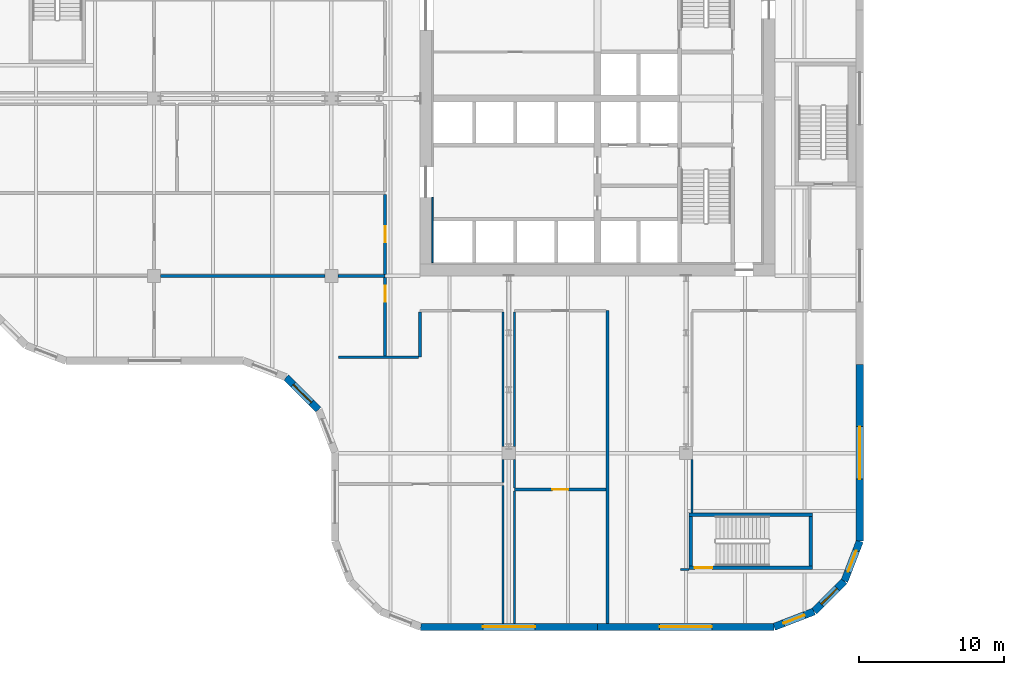
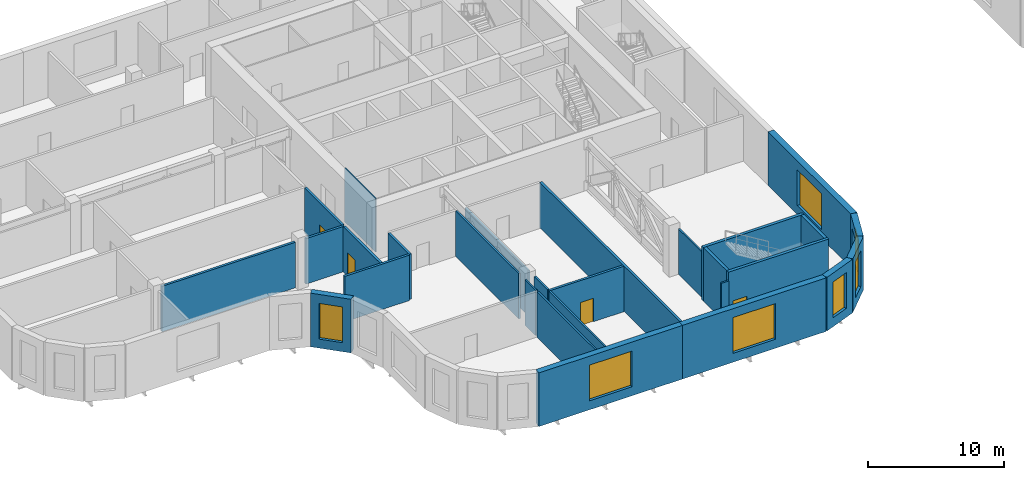
# One storey, part 9 of 21: 28 walls, 7 windows, 4 doors, 11 openings.
"""IFC4 building model written with IfcOpenShell, lengths in metres."""

from ifc_helpers import new_model, si_unit, direction, frame, frame_2d, origin, place, context, subcontext, project, spatial, polyline, rectangle, outline, extrude, faceted_brep, source, transform, mapped, material, layer, layer_set, type_object, element, fill, save


model = new_model("IFC4")

# Units and contexts
model_context = context("Model", 3, precision=1e-05, world=origin(), true_north=direction((0.0, 1.0)))
body_context = subcontext(model_context, "Body", "Model", "MODEL_VIEW")
ifc_project = project(units=[si_unit("LENGTHUNIT", "METRE"), si_unit("AREAUNIT", "SQUARE_METRE"), si_unit("VOLUMEUNIT", "CUBIC_METRE"), si_unit("PLANEANGLEUNIT", "RADIAN"), si_unit("MASSUNIT", "GRAM", prefix="KILO")], contexts=[model_context])

# Site, building, storey
site_placement = place(None, origin())
site = spatial("IfcSite", under=ifc_project, at=site_placement, CompositionType="ELEMENT")
building_placement = place(site_placement, origin())
building = spatial("IfcBuilding", under=site, at=building_placement, Name="Tessera Gate Towers", CompositionType="ELEMENT")
storey_placement = place(building_placement, frame((0.0, 0.0, 63.800048828125)))
storey = spatial("IfcBuildingStorey", under=building, at=storey_placement, Name="L15", CompositionType="ELEMENT", Elevation=63.800048828125)

# Walls
ifc_material_1 = material(Name="Gypsum board on steel studs, mineral wool", Category="steel")
ifc_layer_1 = layer(ifc_material_1, 0.14990234375)
ifc_layer_set_1 = layer_set([ifc_layer_1], Name="CHASE WALL 150")
wall_type_1 = type_object("IfcWallType", Name="CHASE WALL 150", PredefinedType="PARTITIONING", material=ifc_layer_set_1)
wall_1_placement = place(storey_placement, frame((36.199951171875, 0.5, 0.0), z_axis=(0.0, 0.0, 1.0), x_axis=(0.0, 1.0, 0.0)))
element("IfcWall", 1, at=wall_1_placement, inside=storey, type_object=wall_type_1, Name="T1-L15-PW-001", PredefinedType="PARTITIONING", context=body_context, shape_type="SweptSolid", body=[
    extrude(rectangle(XDim=9.47412109375, YDim=0.14990234375, at=frame_2d((4.737060546875, 0.0))), origin(), (0.0, 0.0, 1.0), 4.06689453125),
])
wall_2_placement = place(storey_placement, frame((37.0, 0.5, 0.0), z_axis=(0.0, 0.0, 1.0), x_axis=(0.0, 1.0, 0.0)))
element("IfcWall", 2, at=wall_2_placement, inside=storey, type_object=wall_type_1, Name="T1-L15-PW-002", PredefinedType="PARTITIONING", context=body_context, shape_type="SweptSolid", body=[
    extrude(rectangle(XDim=9.09912109375, YDim=0.14990234375, at=frame_2d((4.549560546875, 0.0))), origin(), (0.0, 0.0, 1.0), 4.06689453125),
])
wall_3_placement = place(storey_placement, frame((48.39990234375, 4.199951171875, 0.0), z_axis=(0.0, 0.0, 1.0), x_axis=(1.0, 0.0, 0.0)))
element("IfcWall", 3, at=wall_3_placement, inside=storey, type_object=wall_type_1, Name="T1-L15-PW-004", PredefinedType="PARTITIONING", context=body_context, shape_type="SweptSolid", body=[
    extrude(rectangle(XDim=0.60009765625, YDim=0.14990234375, at=frame_2d((0.300048828125, 0.0))), origin(), (0.0, 0.0, 1.0), 4.06689453125),
])
wall_4_placement = place(storey_placement, frame((49.199951171875, 8.10009765625, 0.0), z_axis=(0.0, 0.0, 1.0), x_axis=(0.0, 1.0, 0.0)))
element("IfcWall", 4, at=wall_4_placement, inside=storey, type_object=wall_type_1, Name="T1-L15-PW-005", PredefinedType="PARTITIONING", context=body_context, shape_type="SweptSolid", body=[
    extrude(rectangle(XDim=3.64892578125, YDim=0.14990234375, at=frame_2d((1.824462890625, 0.0))), origin(), (0.0, 0.0, 1.0), 4.06689453125),
])
wall_5_placement = place(storey_placement, frame((37.0, 9.801025390625, 0.0), z_axis=(0.0, 0.0, 1.0), x_axis=(0.0, 1.0, 0.0)))
element("IfcWall", 5, at=wall_5_placement, inside=storey, type_object=wall_type_1, Name="T1-L15-PW-007", PredefinedType="PARTITIONING", context=body_context, shape_type="SweptSolid", body=[
    extrude(rectangle(XDim=1.947998046875, YDim=0.14990234375, at=frame_2d((0.97412109375, 0.0))), origin(), (0.0, 0.0, 1.0), 4.06689453125),
])
wall_6_placement = place(storey_placement, frame((36.199951171875, 10.176025390625, 0.0), z_axis=(0.0, 0.0, 1.0), x_axis=(0.0, 1.0, 0.0)))
element("IfcWall", 6, at=wall_6_placement, inside=storey, type_object=wall_type_1, Name="T1-L15-PW-009", PredefinedType="PARTITIONING", context=body_context, shape_type="SweptSolid", body=[
    extrude(rectangle(XDim=1.572998046875, YDim=0.14990234375, at=frame_2d((0.78662109375, 0.0))), origin(), (0.0, 0.0, 1.0), 4.06689453125),
])
for number, where, z_axis, x_axis, name in (
    (7, (36.199951171875, 12.65087890625, 0.0), (0.0, 0.0, 1.0), (0.0, 1.0, 0.0), "T1-L15-PW-010"),
    (8, (37.0, 12.65087890625, 0.0), (0.0, 0.0, 1.0), (0.0, 1.0, 0.0), "T1-L15-PW-011"),
):
    element("IfcWall", number, at=place(storey_placement, frame(where, z_axis=z_axis, x_axis=x_axis)), inside=storey, type_object=wall_type_1, Name=name, PredefinedType="PARTITIONING", context=body_context, shape_type="SweptSolid", body=[
        extrude(rectangle(XDim=9.248046875, YDim=0.14990234375, at=frame_2d((4.6240234375, 0.0))), origin(), (0.0, 0.0, 1.0), 4.06689453125),
    ])

# Wall, opening, door
ifc_material_2 = material(Name="Concrete C40/50", Category="concrete")
ifc_layer_2 = layer(ifc_material_2, 0.25)
ifc_layer_set_2 = layer_set([ifc_layer_2], Name="CORE ENCLOSURE WALL 250")
wall_type_2 = type_object("IfcWallType", Name="CORE ENCLOSURE WALL 250", PredefinedType="SOLIDWALL", material=ifc_layer_set_2)
wall_7_placement = place(storey_placement, frame((57.5, 4.324951171875, 0.0), z_axis=(0.0, 0.0, 1.0), x_axis=(-1.0, 0.0, 0.0)))
wall_7 = element("IfcWall", 9, at=wall_7_placement, inside=storey, type_object=wall_type_2, Name="L15 ST4 enclosure wall", PredefinedType="SOLIDWALL", context=body_context, shape_type="SweptSolid", body=[
    extrude(rectangle(XDim=8.5, YDim=0.25, at=frame_2d((4.25, 0.0))), origin(), (0.0, 0.0, 1.0), 4.800048828125),
])
shared_shape_1 = source(origin(), body_context, "Body", "SweptSolid", [
    extrude(rectangle(XDim=1.199951171875, YDim=2.10009765625, at=frame_2d((0.60009765625, 1.050048828125))), frame((0.0, 0.135009765625, 0.0), z_axis=(0.0, -1.0, 0.0), x_axis=(1.0, 0.0, 0.0)), (0.0, 0.0, 1.0), 0.27001953125),
])
opening_1_placement = place(wall_7_placement, frame((6.89990234375, 0.0, 0.0)))
opening_1 = element("IfcOpeningElement", 10, at=opening_1_placement, cuts=wall_7, Name="Opening SD-ST4-1", PredefinedType="OPENING", context=body_context, shape_type="MappedRepresentation", body=[
    mapped(shared_shape_1, transform((0.0, 0.0, 0.0), scale=1.0)),
])
ifc_material_3 = material(Name="Hollow steel fire door", Category="steel")
door_type_1 = type_object("IfcDoorType", Name="CORE DOOR SD 1200x2100", OperationType="NOTDEFINED", PredefinedType="DOOR", material=ifc_material_3)
shared_shape_2 = source(origin(), body_context, "Body", "SweptSolid", [
    extrude(rectangle(XDim=1.199951171875, YDim=2.10009765625, at=frame_2d((0.60009765625, 1.050048828125))), frame((0.0, 0.02490234375, 0.0), z_axis=(0.0, -1.0, 0.0), x_axis=(1.0, 0.0, 0.0)), (0.0, 0.0, 1.0), 0.050048828125),
])
door_1_placement = place(opening_1_placement, origin())
door_1 = element("IfcDoor", 11, at=door_1_placement, inside=storey, type_object=door_type_1, Name="Stair door", OperationType="SINGLE_SWING_RIGHT", OverallHeight=2.10009765625, OverallWidth=1.199951171875, PredefinedType="DOOR", context=body_context, shape_type="MappedRepresentation", body=[
    mapped(shared_shape_2, transform((0.0, 0.0, 0.0), scale=1.0)),
])
fill(opening_1, door_1)

# Walls
wall_8_placement = place(storey_placement, frame((49.125, 4.449951171875, 0.0), z_axis=(0.0, 0.0, 1.0), x_axis=(0.0, 1.0, 0.0)))
element("IfcWall", 12, at=wall_8_placement, inside=storey, type_object=wall_type_2, Name="L15 ST4 enclosure wall", PredefinedType="SOLIDWALL", context=body_context, shape_type="SweptSolid", body=[
    extrude(rectangle(XDim=3.400146484375, YDim=0.25, at=frame_2d((1.7001953125, 0.0))), origin(), (0.0, 0.0, 1.0), 4.800048828125),
])
wall_9_placement = place(storey_placement, frame((49.0, 7.97509765625, 0.0), z_axis=(0.0, 0.0, 1.0), x_axis=(1.0, 0.0, 0.0)))
element("IfcWall", 13, at=wall_9_placement, inside=storey, type_object=wall_type_2, Name="L15 ST4 enclosure wall", PredefinedType="SOLIDWALL", context=body_context, shape_type="SweptSolid", body=[
    extrude(rectangle(XDim=8.5, YDim=0.25, at=frame_2d((4.25, 0.0))), origin(), (0.0, 0.0, 1.0), 4.800048828125),
])
wall_10_placement = place(storey_placement, frame((57.375, 7.85009765625, 0.0), z_axis=(0.0, 0.0, 1.0), x_axis=(0.0, -1.0, 0.0)))
element("IfcWall", 14, at=wall_10_placement, inside=storey, type_object=wall_type_2, Name="L15 ST4 enclosure wall", PredefinedType="SOLIDWALL", context=body_context, shape_type="SweptSolid", body=[
    extrude(rectangle(XDim=3.400146484375, YDim=0.25, at=frame_2d((1.7001953125, 0.0))), origin(), (0.0, 0.0, 1.0), 4.800048828125),
])
ifc_material_4 = material(Name="Concrete C60/75", Category="concrete")
ifc_layer_3 = layer(ifc_material_4, 0.10009765625)
ifc_layer_set_3 = layer_set([ifc_layer_3], Name="CORE WALL THICKENING 100")
wall_type_3 = type_object("IfcWallType", Name="CORE WALL THICKENING 100", PredefinedType="SOLIDWALL", material=ifc_layer_set_3)
wall_11_placement = place(storey_placement, frame((31.35009765625, 25.300048828125, 0.0), z_axis=(0.0, 0.0, 1.0), x_axis=(0.0, 1.0, 0.0)))
element("IfcWall", 15, at=wall_11_placement, inside=storey, type_object=wall_type_3, Name="Core wall thickening W L15", PredefinedType="SOLIDWALL", context=body_context, shape_type="SweptSolid", body=[
    extrude(rectangle(XDim=4.5, YDim=0.10009765625, at=frame_2d((2.25, 0.0))), origin(), (0.0, 0.0, 1.0), 4.800048828125),
])
ifc_material_5 = material(Name="Concrete masonry unit", Category="masonry")
ifc_layer_4 = layer(ifc_material_5, 0.199951171875)
ifc_layer_set_4 = layer_set([ifc_layer_4], Name="PLANT WALL 200")
wall_type_4 = type_object("IfcWallType", Name="PLANT WALL 200", PredefinedType="PARTITIONING", material=ifc_layer_set_4)
wall_12_placement = place(storey_placement, frame((43.39990234375, 0.5, 0.0), z_axis=(0.0, 0.0, 1.0), x_axis=(0.0, 1.0, 0.0)))
element("IfcWall", 16, at=wall_12_placement, inside=storey, type_object=wall_type_4, Name="T1-L15-PW-003", PredefinedType="PARTITIONING", context=body_context, shape_type="SweptSolid", body=[
    extrude(rectangle(XDim=21.5, YDim=0.199951171875, at=frame_2d((10.75, 0.0))), origin(), (0.0, 0.0, 1.0), 4.06689453125),
])

# Wall, opening, door
wall_13_placement = place(storey_placement, frame((43.299072265625, 9.699951171875, 0.0), z_axis=(0.0, 0.0, 1.0), x_axis=(-1.0, 0.0, 0.0)))
wall_13 = element("IfcWall", 17, at=wall_13_placement, inside=storey, type_object=wall_type_4, Name="T1-L15-PW-006", PredefinedType="PARTITIONING", context=body_context, shape_type="SweptSolid", body=[
    extrude(rectangle(XDim=6.299072265625, YDim=0.199951171875, at=frame_2d((3.1494140625, 0.0))), origin(), (0.0, 0.0, 1.0), 4.06689453125),
])
shared_shape_3 = source(origin(), body_context, "Body", "SweptSolid", [
    extrude(rectangle(XDim=1.10009765625, YDim=2.10009765625, at=frame_2d((0.550048828125, 1.050048828125))), frame((0.0, 0.10986328125, 0.0), z_axis=(0.0, -1.0, 0.0), x_axis=(1.0, 0.0, 0.0)), (0.0, 0.0, 1.0), 0.219970703125),
])
opening_2_placement = place(wall_13_placement, frame((2.59912109375, 0.0, 0.0)))
opening_2 = element("IfcOpeningElement", 18, at=opening_2_placement, cuts=wall_13, Name="Opening D5110FD90-A30-13", PredefinedType="OPENING", context=body_context, shape_type="MappedRepresentation", body=[
    mapped(shared_shape_3, transform((0.0, 0.0, 0.0), scale=1.0)),
])
ifc_material_6 = material(Name="Timber door leaf in steel frame", Category="steel")
door_type_2 = type_object("IfcDoorType", Name="PLANT DOOR 1100 FD90", OperationType="NOTDEFINED", PredefinedType="DOOR", material=ifc_material_6)
shared_shape_4 = source(origin(), body_context, "Body", "SweptSolid", [
    extrude(rectangle(XDim=1.10009765625, YDim=2.10009765625, at=frame_2d((0.550048828125, 1.050048828125))), frame((0.0, 0.02490234375, 0.0), z_axis=(0.0, -1.0, 0.0), x_axis=(1.0, 0.0, 0.0)), (0.0, 0.0, 1.0), 0.050048828125),
])
door_2_placement = place(opening_2_placement, origin())
door_2 = element("IfcDoor", 19, at=door_2_placement, inside=storey, type_object=door_type_2, Name="T1-L15-PD-013", OperationType="SINGLE_SWING_RIGHT", OverallHeight=2.10009765625, OverallWidth=1.10009765625, PredefinedType="DOOR", context=body_context, shape_type="MappedRepresentation", body=[
    mapped(shared_shape_4, transform((0.0, 0.0, 0.0), scale=1.0)),
])
fill(opening_2, door_2)

# Walls
wall_14_placement = place(storey_placement, frame((24.89990234375, 18.800048828125, 0.0), z_axis=(0.0, 0.0, 1.0), x_axis=(1.0, 0.0, 0.0)))
element("IfcWall", 20, at=wall_14_placement, inside=storey, type_object=wall_type_4, Name="T1-L15-PW-014", PredefinedType="PARTITIONING", context=body_context, shape_type="SweptSolid", body=[
    extrude(rectangle(XDim=5.4990234375, YDim=0.199951171875, at=frame_2d((2.74951171875, 0.0))), origin(), (0.0, 0.0, 1.0), 4.06689453125),
])
wall_15_placement = place(storey_placement, frame((30.5, 18.800048828125, 0.0), z_axis=(0.0, 0.0, 1.0), x_axis=(0.0, 1.0, 0.0)))
element("IfcWall", 21, at=wall_15_placement, inside=storey, type_object=wall_type_4, Name="T1-L15-PW-015", PredefinedType="PARTITIONING", context=body_context, shape_type="SweptSolid", body=[
    extrude(rectangle(XDim=3.098876953125, YDim=0.199951171875, at=frame_2d((1.54931640625, 0.0))), origin(), (0.0, 0.0, 1.0), 4.06689453125),
])

# Wall, opening, door
wall_16_placement = place(storey_placement, frame((28.10009765625, 18.90087890625, 0.0), z_axis=(0.0, 0.0, 1.0), x_axis=(0.0, 1.0, 0.0)))
wall_16 = element("IfcWall", 22, at=wall_16_placement, inside=storey, type_object=wall_type_4, Name="T1-L15-PW-016", PredefinedType="PARTITIONING", context=body_context, shape_type="SweptSolid", body=[
    extrude(rectangle(XDim=5.398193359375, YDim=0.199951171875, at=frame_2d((2.69921875, 0.0))), origin(), (0.0, 0.0, 1.0), 4.06689453125),
])
opening_3_placement = place(wall_16_placement, frame((3.699951171875, 0.0, 0.0)))
opening_3 = element("IfcOpeningElement", 23, at=opening_3_placement, cuts=wall_16, Name="Opening D5110FD90-A30-01", PredefinedType="OPENING", context=body_context, shape_type="MappedRepresentation", body=[
    mapped(shared_shape_3, transform((0.0, 0.0, 0.0), scale=1.0)),
])
door_3_placement = place(opening_3_placement, origin())
door_3 = element("IfcDoor", 24, at=door_3_placement, inside=storey, type_object=door_type_2, Name="T1-L15-PD-001", OperationType="SINGLE_SWING_RIGHT", OverallHeight=2.10009765625, OverallWidth=1.10009765625, PredefinedType="DOOR", context=body_context, shape_type="MappedRepresentation", body=[
    mapped(shared_shape_4, transform((0.0, 0.0, 0.0), scale=1.0)),
])
fill(opening_3, door_3)

# Walls
wall_17_placement = place(storey_placement, frame((12.65087890625, 24.39990234375, 0.0), z_axis=(0.0, 0.0, 1.0), x_axis=(1.0, 0.0, 0.0)))
element("IfcWall", 25, at=wall_17_placement, inside=storey, type_object=wall_type_4, Name="T1-L15-PW-023", PredefinedType="PARTITIONING", context=body_context, shape_type="SweptSolid", body=[
    extrude(rectangle(XDim=11.298095703125, YDim=0.199951171875, at=frame_2d((5.64892578125, 0.0))), origin(), (0.0, 0.0, 1.0), 4.06689453125),
])
wall_18_placement = place(storey_placement, frame((24.85107421875, 24.39990234375, 0.0), z_axis=(0.0, 0.0, 1.0), x_axis=(1.0, 0.0, 0.0)))
element("IfcWall", 26, at=wall_18_placement, inside=storey, type_object=wall_type_4, Name="T1-L15-PW-024", PredefinedType="PARTITIONING", context=body_context, shape_type="SweptSolid", body=[
    extrude(rectangle(XDim=3.2490234375, YDim=0.199951171875, at=frame_2d((1.62451171875, 0.0))), origin(), (0.0, 0.0, 1.0), 4.06689453125),
])

# Wall, opening, door
wall_19_placement = place(storey_placement, frame((28.10009765625, 24.5009765625, 0.0), z_axis=(0.0, 0.0, 1.0), x_axis=(0.0, 1.0, 0.0)))
wall_19 = element("IfcWall", 27, at=wall_19_placement, inside=storey, type_object=wall_type_4, Name="T1-L15-PW-025", PredefinedType="PARTITIONING", context=body_context, shape_type="SweptSolid", body=[
    extrude(rectangle(XDim=5.498046875, YDim=0.199951171875, at=frame_2d((2.7490234375, 0.0))), origin(), (0.0, 0.0, 1.0), 4.06689453125),
])
opening_4_placement = place(wall_19_placement, frame((2.199951171875, 0.0, 0.0)))
opening_4 = element("IfcOpeningElement", 28, at=opening_4_placement, cuts=wall_19, Name="Opening D5110FD90-A30-05", PredefinedType="OPENING", context=body_context, shape_type="MappedRepresentation", body=[
    mapped(shared_shape_3, transform((0.0, 0.0, 0.0), scale=1.0)),
])
door_4_placement = place(opening_4_placement, origin())
door_4 = element("IfcDoor", 29, at=door_4_placement, inside=storey, type_object=door_type_2, Name="T1-L15-PD-005", OperationType="SINGLE_SWING_LEFT", OverallHeight=2.10009765625, OverallWidth=1.10009765625, PredefinedType="DOOR", context=body_context, shape_type="MappedRepresentation", body=[
    mapped(shared_shape_4, transform((0.0, 0.0, 0.0), scale=1.0)),
])
fill(opening_4, door_4)

# Wall, opening, window
ifc_material_7 = material(Name="Precast concrete C60/75 white", Category="concrete")
ifc_layer_5 = layer(ifc_material_7, 0.5)
ifc_layer_set_5 = layer_set([ifc_layer_5], Name="RB1 ring band panel")
wall_type_5 = type_object("IfcWallType", Name="RB1 ring band panel", PredefinedType="SOLIDWALL", material=ifc_layer_set_5)
shared_shape_5 = source(origin(), body_context, "Body", "Brep", [
    faceted_brep([(0.0, -0.25, 0.0), (12.153564453125, -0.25, 0.0), (12.153564453125, -0.25, 4.800048828125), (0.0, -0.25, 4.800048828125), (0.046630859375, 0.25, 4.800048828125), (12.153564453125, 0.25, 4.800048828125), (12.153564453125, 0.25, 0.0), (0.046630859375, 0.25, 0.0), (0.0, 0.0, 0.0), (0.0, 0.0, 4.800048828125)], [[[0, 1, 2, 3]], [[4, 5, 6, 7]], [[7, 6, 1, 0, 8]], [[5, 4, 9, 3, 2]], [[8, 0, 3, 9]], [[7, 8, 9, 4]], [[1, 6, 5, 2]]]),
])
wall_20_placement = place(storey_placement, frame((30.546630859375, 0.25, 0.0), z_axis=(0.0, 0.0, 1.0), x_axis=(1.0, 0.0, 0.0)))
wall_20 = element("IfcWall", 30, at=wall_20_placement, inside=storey, type_object=wall_type_5, Name="Ring band panel T1 RB1-0001", PredefinedType="SOLIDWALL", context=body_context, shape_type="MappedRepresentation", body=[
    mapped(shared_shape_5, transform((0.0, 0.0, 0.0), scale=1.0)),
])
shared_shape_6 = source(origin(), body_context, "Body", "SweptSolid", [
    extrude(outline(polyline([(4.276611328125, 0.800048828125), (7.876708984375, 0.800048828125), (7.876708984375, 4.0), (4.276611328125, 4.0), (4.276611328125, 0.800048828125)])), frame((0.0, 0.260009765625, 0.0), z_axis=(0.0, -1.0, 0.0), x_axis=(1.0, 0.0, 0.0)), (0.0, 0.0, 1.0), 0.52001953125),
])
opening_5_placement = place(wall_20_placement, origin())
opening_5 = element("IfcOpeningElement", 31, at=opening_5_placement, cuts=wall_20, Name="Opening T1-WN-LV1-0001", PredefinedType="OPENING", context=body_context, shape_type="MappedRepresentation", body=[
    mapped(shared_shape_6, transform((0.0, 0.0, 0.0), scale=1.0)),
])
ifc_material_8 = material(Name="Aluminium louvre", Category="aluminium")
ifc_layer_6 = layer(ifc_material_8, 0.06005859375)
ifc_layer_set_6 = layer_set([ifc_layer_6], Name="LV1 louvre")
window_type = type_object("IfcWindowType", Name="LV1 louvre", PartitioningType="USERDEFINED", PredefinedType="WINDOW", material=ifc_layer_set_6)
shared_shape_7 = source(origin(), body_context, "Body", "SweptSolid", [
    extrude(outline(polyline([(4.276611328125, 0.800048828125), (7.876708984375, 0.800048828125), (7.876708984375, 4.0), (4.276611328125, 4.0), (4.276611328125, 0.800048828125)])), frame((0.0, 0.030029296875, 0.0), z_axis=(0.0, -1.0, 0.0), x_axis=(1.0, 0.0, 0.0)), (0.0, 0.0, 1.0), 0.06005859375),
])
window_1_placement = place(opening_5_placement, origin())
window_1 = element("IfcWindow", 32, at=window_1_placement, inside=storey, type_object=window_type, Name="Louvre T1 WN-LV1-0001", OverallHeight=3.199951171875, OverallWidth=3.60009765625, PartitioningType="USERDEFINED", PredefinedType="WINDOW", context=body_context, shape_type="MappedRepresentation", body=[
    mapped(shared_shape_7, transform((0.0, 0.0, 0.0), scale=1.0)),
])
fill(opening_5, window_1)

wall_21_placement = place(storey_placement, frame((60.75, 6.146484375, 0.0), z_axis=(0.0, 0.0, 1.0), x_axis=(0.0, 1.0, 0.0)))
wall_21 = element("IfcWall", 33, at=wall_21_placement, inside=storey, type_object=wall_type_5, Name="Ring band panel T1 RB1-0006", PredefinedType="SOLIDWALL", context=body_context, shape_type="MappedRepresentation", body=[
    mapped(shared_shape_5, transform((0.0, 0.0, 0.0), scale=1.0)),
])
opening_6_placement = place(wall_21_placement, origin())
opening_6 = element("IfcOpeningElement", 34, at=opening_6_placement, cuts=wall_21, Name="Opening T1-WN-LV1-0006", PredefinedType="OPENING", context=body_context, shape_type="MappedRepresentation", body=[
    mapped(shared_shape_6, transform((0.0, 0.0, 0.0), scale=1.0)),
])
window_2_placement = place(opening_6_placement, origin())
window_2 = element("IfcWindow", 35, at=window_2_placement, inside=storey, type_object=window_type, Name="Louvre T1 WN-LV1-0006", OverallHeight=3.199951171875, OverallWidth=3.60009765625, PartitioningType="USERDEFINED", PredefinedType="WINDOW", context=body_context, shape_type="MappedRepresentation", body=[
    mapped(shared_shape_7, transform((0.0, 0.0, 0.0), scale=1.0)),
])
fill(opening_6, window_2)

shared_shape_8 = source(origin(), body_context, "Body", "Brep", [
    faceted_brep([(0.0, -0.25, 0.0), (12.153564453125, -0.25, 0.0), (12.153564453125, -0.25, 4.800048828125), (0.0, -0.25, 4.800048828125), (0.0, 0.25, 4.800048828125), (12.10693359375, 0.25, 4.800048828125), (12.10693359375, 0.25, 0.0), (0.0, 0.25, 0.0), (12.153564453125, -0.00048828125, 0.0), (12.153564453125, -0.00048828125, 4.800048828125)], [[[0, 1, 2, 3]], [[4, 5, 6, 7]], [[7, 6, 8, 1, 0]], [[9, 2, 1, 8]], [[5, 4, 3, 2, 9]], [[4, 7, 0, 3]], [[8, 6, 5, 9]]]),
])
wall_22_placement = place(storey_placement, frame((42.699951171875, 0.25, 0.0), z_axis=(0.0, 0.0, 1.0), x_axis=(1.0, 0.0, 0.0)))
wall_22 = element("IfcWall", 36, at=wall_22_placement, inside=storey, type_object=wall_type_5, Name="Ring band panel T1 RB1-0002", PredefinedType="SOLIDWALL", context=body_context, shape_type="MappedRepresentation", body=[
    mapped(shared_shape_8, transform((0.0, 0.0, 0.0), scale=1.0)),
])
opening_7_placement = place(wall_22_placement, origin())
opening_7 = element("IfcOpeningElement", 37, at=opening_7_placement, cuts=wall_22, Name="Opening T1-WN-LV1-0002", PredefinedType="OPENING", context=body_context, shape_type="MappedRepresentation", body=[
    mapped(shared_shape_6, transform((0.0, 0.0, 0.0), scale=1.0)),
])
window_3_placement = place(opening_7_placement, origin())
window_3 = element("IfcWindow", 38, at=window_3_placement, inside=storey, type_object=window_type, Name="Louvre T1 WN-LV1-0002", OverallHeight=3.199951171875, OverallWidth=3.60009765625, PartitioningType="USERDEFINED", PredefinedType="WINDOW", context=body_context, shape_type="MappedRepresentation", body=[
    mapped(shared_shape_7, transform((0.0, 0.0, 0.0), scale=1.0)),
])
fill(opening_7, window_3)

shared_shape_9 = source(origin(), body_context, "Body", "Brep", [
    faceted_brep([(0.0, -0.25, 0.0), (2.950439453125, -0.25, 0.0), (2.950439453125, -0.25, 4.800048828125), (0.0, -0.25, 4.800048828125), (0.046630859375, 0.25, 4.800048828125), (2.897705078125, 0.25, 4.800048828125), (2.897705078125, 0.25, 0.0), (0.046630859375, 0.25, 0.0), (2.950439453125, 0.00048828125, 0.0), (0.0, 0.0, 0.0), (2.950439453125, 0.00048828125, 4.800048828125), (0.0, 0.0, 4.800048828125)], [[[0, 1, 2, 3]], [[4, 5, 6, 7]], [[7, 6, 8, 1, 0, 9]], [[10, 2, 1, 8]], [[5, 4, 11, 3, 2, 10]], [[9, 0, 3, 11]], [[7, 9, 11, 4]], [[8, 6, 5, 10]]]),
])
wall_23_placement = place(storey_placement, frame((54.853515625, 0.25, 0.0), z_axis=(0.0, 0.0, 1.0), x_axis=(0.932999673775, 0.359877213415, 0.0)))
wall_23 = element("IfcWall", 39, at=wall_23_placement, inside=storey, type_object=wall_type_5, Name="Ring band panel T1 RB1-0003", PredefinedType="SOLIDWALL", context=body_context, shape_type="MappedRepresentation", body=[
    mapped(shared_shape_9, transform((0.0, 0.0, 0.0), scale=1.0)),
])
shared_shape_10 = source(origin(), body_context, "Body", "SweptSolid", [
    extrude(outline(polyline([(0.699951171875, 0.800048828125), (2.25048828125, 0.800048828125), (2.25048828125, 4.0), (0.699951171875, 4.0), (0.699951171875, 0.800048828125)])), frame((0.0, 0.260009765625, 0.0), z_axis=(0.0, -1.0, 0.0), x_axis=(1.0, 0.0, 0.0)), (0.0, 0.0, 1.0), 0.52001953125),
])
opening_8_placement = place(wall_23_placement, origin())
opening_8 = element("IfcOpeningElement", 40, at=opening_8_placement, cuts=wall_23, Name="Opening T1-WN-LV1-0003", PredefinedType="OPENING", context=body_context, shape_type="MappedRepresentation", body=[
    mapped(shared_shape_10, transform((0.0, 0.0, 0.0), scale=1.0)),
])
shared_shape_11 = source(origin(), body_context, "Body", "SweptSolid", [
    extrude(outline(polyline([(0.699951171875, 0.800048828125), (2.25048828125, 0.800048828125), (2.25048828125, 4.0), (0.699951171875, 4.0), (0.699951171875, 0.800048828125)])), frame((0.0, 0.030029296875, 0.0), z_axis=(0.0, -1.0, 0.0), x_axis=(1.0, 0.0, 0.0)), (0.0, 0.0, 1.0), 0.06005859375),
])
window_4_placement = place(opening_8_placement, origin())
window_4 = element("IfcWindow", 41, at=window_4_placement, inside=storey, type_object=window_type, Name="Louvre T1 WN-LV1-0003", OverallHeight=3.199951171875, OverallWidth=1.550537109375, PartitioningType="USERDEFINED", PredefinedType="WINDOW", context=body_context, shape_type="MappedRepresentation", body=[
    mapped(shared_shape_11, transform((0.0, 0.0, 0.0), scale=1.0)),
])
fill(opening_8, window_4)

shared_shape_12 = source(origin(), body_context, "Body", "Brep", [
    faceted_brep([(0.0, -0.25, 0.0), (2.944091796875, -0.25, 0.0), (2.944091796875, -0.25, 4.800048828125), (0.0, -0.25, 4.800048828125), (0.052978515625, 0.25, 4.800048828125), (2.89111328125, 0.25, 4.800048828125), (2.89111328125, 0.25, 0.0), (0.052978515625, 0.25, 0.0), (2.944091796875, 0.000244140625, 0.0), (0.0, 0.0, 0.0), (2.944091796875, 0.000244140625, 4.800048828125), (0.0, 0.0, 4.800048828125)], [[[0, 1, 2, 3]], [[4, 5, 6, 7]], [[7, 6, 8, 1, 0, 9]], [[10, 2, 1, 8]], [[5, 4, 11, 3, 2, 10]], [[9, 0, 3, 11]], [[7, 9, 11, 4]], [[8, 6, 5, 10]]]),
])
wall_24_placement = place(storey_placement, frame((57.606201171875, 1.31201171875, 0.0), z_axis=(0.0, 0.0, 1.0), x_axis=(0.707106781187, 0.707106781187, 0.0)))
wall_24 = element("IfcWall", 42, at=wall_24_placement, inside=storey, type_object=wall_type_5, Name="Ring band panel T1 RB1-0004", PredefinedType="SOLIDWALL", context=body_context, shape_type="MappedRepresentation", body=[
    mapped(shared_shape_12, transform((0.0, 0.0, 0.0), scale=1.0)),
])
shared_shape_13 = source(origin(), body_context, "Body", "SweptSolid", [
    extrude(outline(polyline([(0.699951171875, 0.800048828125), (2.244140625, 0.800048828125), (2.244140625, 4.0), (0.699951171875, 4.0), (0.699951171875, 0.800048828125)])), frame((0.0, 0.260009765625, 0.0), z_axis=(0.0, -1.0, 0.0), x_axis=(1.0, 0.0, 0.0)), (0.0, 0.0, 1.0), 0.52001953125),
])
opening_9_placement = place(wall_24_placement, origin())
opening_9 = element("IfcOpeningElement", 43, at=opening_9_placement, cuts=wall_24, Name="Opening T1-WN-LV1-0004", PredefinedType="OPENING", context=body_context, shape_type="MappedRepresentation", body=[
    mapped(shared_shape_13, transform((0.0, 0.0, 0.0), scale=1.0)),
])
shared_shape_14 = source(origin(), body_context, "Body", "SweptSolid", [
    extrude(outline(polyline([(0.699951171875, 0.800048828125), (2.244140625, 0.800048828125), (2.244140625, 4.0), (0.699951171875, 4.0), (0.699951171875, 0.800048828125)])), frame((0.0, 0.030029296875, 0.0), z_axis=(0.0, -1.0, 0.0), x_axis=(1.0, 0.0, 0.0)), (0.0, 0.0, 1.0), 0.06005859375),
])
window_5_placement = place(opening_9_placement, origin())
window_5 = element("IfcWindow", 44, at=window_5_placement, inside=storey, type_object=window_type, Name="Louvre T1 WN-LV1-0004", OverallHeight=3.199951171875, OverallWidth=1.544189453125, PartitioningType="USERDEFINED", PredefinedType="WINDOW", context=body_context, shape_type="MappedRepresentation", body=[
    mapped(shared_shape_14, transform((0.0, 0.0, 0.0), scale=1.0)),
])
fill(opening_9, window_5)

shared_shape_15 = source(origin(), body_context, "Body", "Brep", [
    faceted_brep([(0.0, -0.25, 0.0), (2.950439453125, -0.25, 0.0), (2.950439453125, -0.25, 4.800048828125), (0.0, -0.25, 4.800048828125), (0.052978515625, 0.25, 4.800048828125), (2.904052734375, 0.25, 4.800048828125), (2.904052734375, 0.25, 0.0), (0.052978515625, 0.25, 0.0), (2.950439453125, 0.00048828125, 0.0), (0.0, 0.0, 0.0), (2.950439453125, 0.00048828125, 4.800048828125), (0.0, 0.0, 4.800048828125)], [[[0, 1, 2, 3]], [[4, 5, 6, 7]], [[7, 6, 8, 1, 0, 9]], [[10, 2, 1, 8]], [[5, 4, 11, 3, 2, 10]], [[9, 0, 3, 11]], [[7, 9, 11, 4]], [[8, 6, 5, 10]]]),
])
wall_25_placement = place(storey_placement, frame((59.68798828125, 3.393798828125, 0.0), z_axis=(0.0, 0.0, 1.0), x_axis=(0.359949242603, 0.932971887438, 0.0)))
wall_25 = element("IfcWall", 45, at=wall_25_placement, inside=storey, type_object=wall_type_5, Name="Ring band panel T1 RB1-0005", PredefinedType="SOLIDWALL", context=body_context, shape_type="MappedRepresentation", body=[
    mapped(shared_shape_15, transform((0.0, 0.0, 0.0), scale=1.0)),
])
opening_10_placement = place(wall_25_placement, origin())
opening_10 = element("IfcOpeningElement", 46, at=opening_10_placement, cuts=wall_25, Name="Opening T1-WN-LV1-0005", PredefinedType="OPENING", context=body_context, shape_type="MappedRepresentation", body=[
    mapped(shared_shape_10, transform((0.0, 0.0, 0.0), scale=1.0)),
])
window_6_placement = place(opening_10_placement, origin())
window_6 = element("IfcWindow", 47, at=window_6_placement, inside=storey, type_object=window_type, Name="Louvre T1 WN-LV1-0005", OverallHeight=3.199951171875, OverallWidth=1.550537109375, PartitioningType="USERDEFINED", PredefinedType="WINDOW", context=body_context, shape_type="MappedRepresentation", body=[
    mapped(shared_shape_11, transform((0.0, 0.0, 0.0), scale=1.0)),
])
fill(opening_10, window_6)

shared_shape_16 = source(origin(), body_context, "Body", "Brep", [
    faceted_brep([(0.052978515625, -0.25, 0.0), (3.10302734375, -0.25, 0.0), (3.10302734375, -0.25, 4.800048828125), (0.052978515625, -0.25, 4.800048828125), (0.0, 0.25, 4.800048828125), (3.15576171875, 0.25, 4.800048828125), (3.15576171875, 0.25, 0.0), (0.0, 0.25, 0.0), (3.15576171875, -0.00048828125, 0.0), (0.0, 0.0, 0.0), (3.15576171875, -0.00048828125, 4.800048828125), (0.0, 0.0, 4.800048828125)], [[[0, 1, 2, 3]], [[4, 5, 6, 7]], [[7, 6, 8, 1, 0, 9]], [[6, 5, 10, 8]], [[5, 4, 11, 3, 2, 10]], [[4, 7, 9, 11]], [[9, 0, 3, 11]], [[1, 8, 10, 2]]]),
])
wall_26_placement = place(storey_placement, frame((21.284912109375, 17.41650390625, 0.0), z_axis=(0.0, 0.0, 1.0), x_axis=(0.707106781187, -0.707106781187, 0.0)))
wall_26 = element("IfcWall", 48, at=wall_26_placement, inside=storey, type_object=wall_type_5, Name="Ring band panel T1 RB1-0027", PredefinedType="SOLIDWALL", context=body_context, shape_type="MappedRepresentation", body=[
    mapped(shared_shape_16, transform((0.0, 0.0, 0.0), scale=1.0)),
])
shared_shape_17 = source(origin(), body_context, "Body", "SweptSolid", [
    extrude(outline(polyline([(0.699951171875, 0.800048828125), (2.455810546875, 0.800048828125), (2.455810546875, 4.0), (0.699951171875, 4.0), (0.699951171875, 0.800048828125)])), frame((0.0, 0.260009765625, 0.0), z_axis=(0.0, -1.0, 0.0), x_axis=(1.0, 0.0, 0.0)), (0.0, 0.0, 1.0), 0.52001953125),
])
opening_11_placement = place(wall_26_placement, origin())
opening_11 = element("IfcOpeningElement", 49, at=opening_11_placement, cuts=wall_26, Name="Opening T1-WN-LV1-0027", PredefinedType="OPENING", context=body_context, shape_type="MappedRepresentation", body=[
    mapped(shared_shape_17, transform((0.0, 0.0, 0.0), scale=1.0)),
])
shared_shape_18 = source(origin(), body_context, "Body", "SweptSolid", [
    extrude(outline(polyline([(0.699951171875, 0.800048828125), (2.455810546875, 0.800048828125), (2.455810546875, 4.0), (0.699951171875, 4.0), (0.699951171875, 0.800048828125)])), frame((0.0, 0.030029296875, 0.0), z_axis=(0.0, -1.0, 0.0), x_axis=(1.0, 0.0, 0.0)), (0.0, 0.0, 1.0), 0.06005859375),
])
window_7_placement = place(opening_11_placement, origin())
window_7 = element("IfcWindow", 50, at=window_7_placement, inside=storey, type_object=window_type, Name="Louvre T1 WN-LV1-0027", OverallHeight=3.199951171875, OverallWidth=1.755859375, PartitioningType="USERDEFINED", PredefinedType="WINDOW", context=body_context, shape_type="MappedRepresentation", body=[
    mapped(shared_shape_18, transform((0.0, 0.0, 0.0), scale=1.0)),
])
fill(opening_11, window_7)

save(model, "model.ifc")
